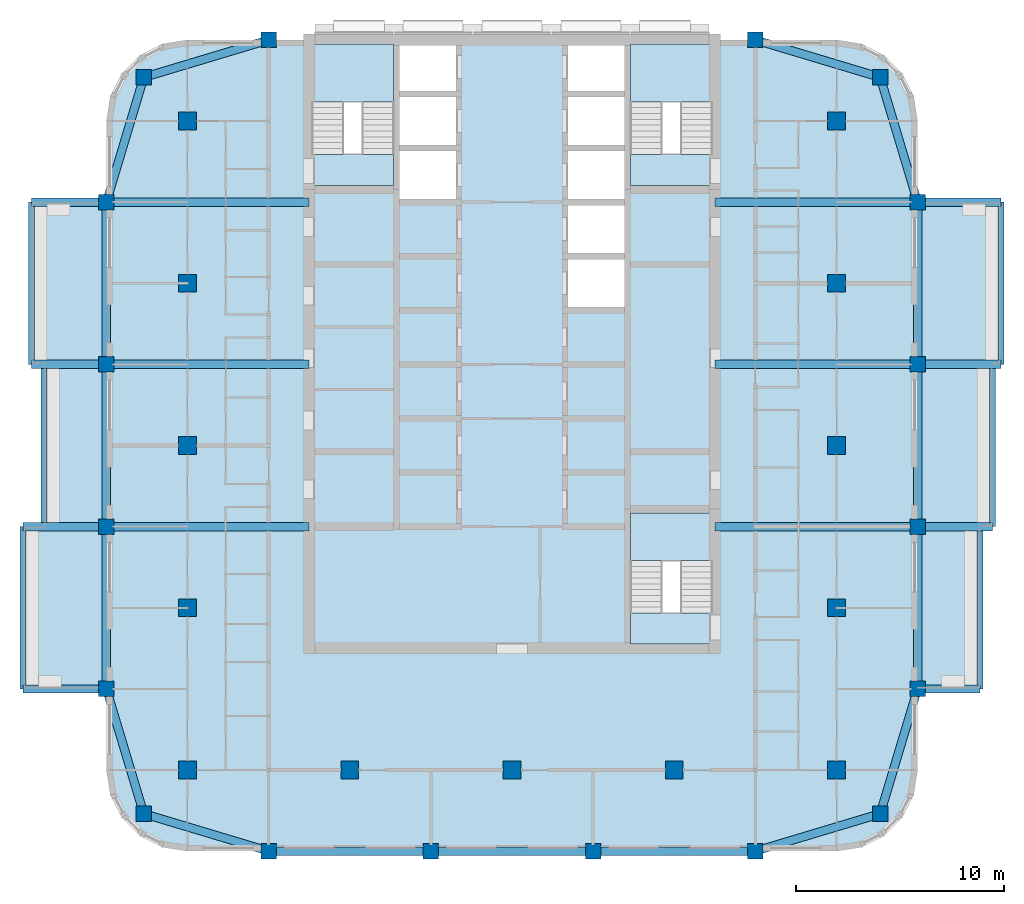
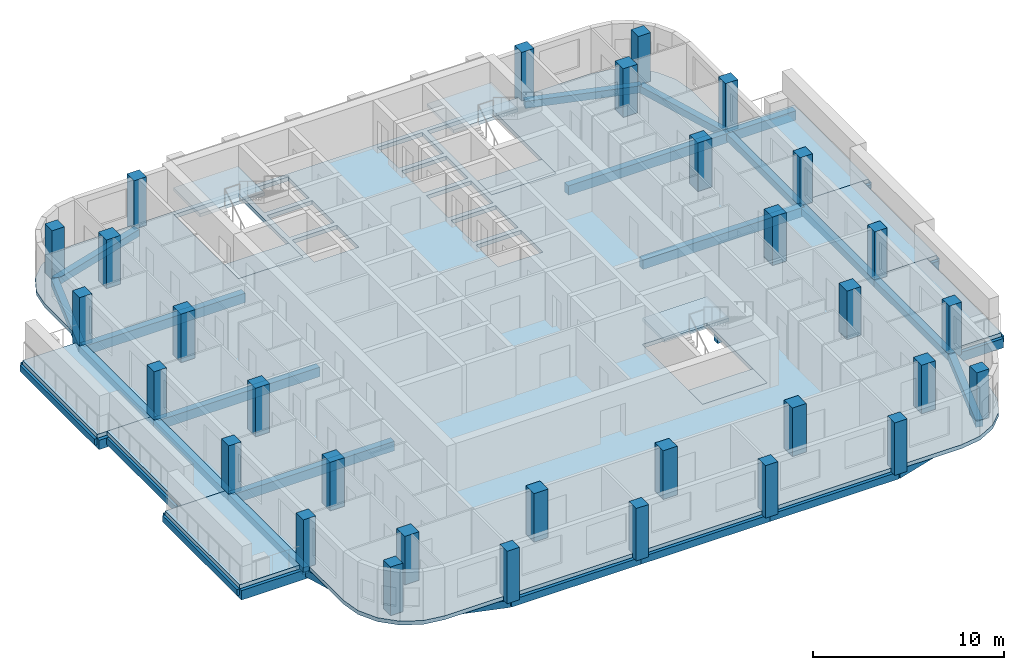
# One storey, part 1 of 13: 37 beams, 31 columns, 13 slabs, 3 elements without a shape of their own.
"""IFC4 building model written with IfcOpenShell, lengths in metres."""

from ifc_helpers import new_model, si_unit, direction, frame, origin, origin_2d, place, context, subcontext, project, spatial, polyline, rectangle, outline, extrude, material, layer, layer_set, material_profile, profile_set, type_object, element, aggregate, save


model = new_model("IFC4")

# Units and contexts
model_context = context("Model", 3, precision=1e-05, world=origin(), true_north=direction((0.0, 1.0)))
body_context = subcontext(model_context, "Body", "Model", "MODEL_VIEW")
ifc_project = project(units=[si_unit("LENGTHUNIT", "METRE"), si_unit("AREAUNIT", "SQUARE_METRE"), si_unit("VOLUMEUNIT", "CUBIC_METRE"), si_unit("PLANEANGLEUNIT", "RADIAN"), si_unit("MASSUNIT", "GRAM", prefix="KILO")], contexts=[model_context])

# Site, building, storey
site_placement = place(None, origin())
site = spatial("IfcSite", under=ifc_project, at=site_placement, CompositionType="ELEMENT")
building_placement = place(site_placement, origin())
building = spatial("IfcBuilding", under=site, at=building_placement, Name="Ludao Terraces", CompositionType="ELEMENT")
storey_placement = place(building_placement, frame((0.0, 0.0, 189.39990234375)))
storey = spatial("IfcBuildingStorey", under=building, at=storey_placement, Name="L51", CompositionType="ELEMENT", Elevation=189.39990234375)

# Columns
ifc_material_1 = material(Name="Concrete C45", Category="concrete")
ifc_material_profile_1 = material_profile(ifc_material_1, rectangle(XDim=0.75, YDim=0.75, at=origin_2d()), Name="750 X 750")
ifc_profile_set_1 = profile_set([ifc_material_profile_1], Name="Concrete C45")
column_type_1 = type_object("IfcColumnType", Name="RC column 750x750 C45", PredefinedType="COLUMN", material=ifc_profile_set_1)
for number, where, z_axis, x_axis, name in (
    (1, (67.300048828125, 47.300048828125, -0.25), (0.0, 0.0, 1.0), (1.0, 0.0, 0.0), "Column L51 C0057x0057"),
    (2, (102.699951171875, 47.300048828125, -0.25), (0.0, 0.0, 1.0), (1.0, 0.0, 0.0), "Column L51 C0411x0057"),
    (3, (67.300048828125, 82.699951171875, -0.25), (0.0, 0.0, 1.0), (1.0, 0.0, 0.0), "Column L51 C0057x0411"),
    (4, (102.699951171875, 82.699951171875, -0.25), (0.0, 0.0, 1.0), (1.0, 0.0, 0.0), "Column L51 C0411x0411"),
    (5, (65.5, 53.300048828125, -0.25), (0.0, 0.0, 1.0), (1.0, 0.0, 0.0), "Column L51 W0039x0117"),
    (6, (104.5, 53.300048828125, -0.25), (0.0, 0.0, 1.0), (1.0, 0.0, 0.0), "Column L51 W0429x0117"),
    (7, (73.300048828125, 45.5, -0.25), (0.0, 0.0, 1.0), (1.0, 0.0, 0.0), "Column L51 W0117x0039"),
    (8, (73.300048828125, 84.5, -0.25), (0.0, 0.0, 1.0), (1.0, 0.0, 0.0), "Column L51 W0117x0429"),
    (9, (65.5, 61.10009765625, -0.25), (0.0, 0.0, 1.0), (1.0, 0.0, 0.0), "Column L51 W0039x0195"),
    (10, (104.5, 61.10009765625, -0.25), (0.0, 0.0, 1.0), (1.0, 0.0, 0.0), "Column L51 W0429x0195"),
    (11, (81.10009765625, 45.5, -0.25), (0.0, 0.0, 1.0), (1.0, 0.0, 0.0), "Column L51 W0195x0039"),
    (12, (65.5, 68.89990234375, -0.25), (0.0, 0.0, 1.0), (1.0, 0.0, 0.0), "Column L51 W0039x0273"),
    (13, (104.5, 68.89990234375, -0.25), (0.0, 0.0, 1.0), (1.0, 0.0, 0.0), "Column L51 W0429x0273"),
    (14, (88.89990234375, 45.5, -0.25), (0.0, 0.0, 1.0), (1.0, 0.0, 0.0), "Column L51 W0273x0039"),
    (15, (65.5, 76.699951171875, -0.25), (0.0, 0.0, 1.0), (1.0, 0.0, 0.0), "Column L51 W0039x0351"),
    (16, (104.5, 76.699951171875, -0.25), (0.0, 0.0, 1.0), (1.0, 0.0, 0.0), "Column L51 W0429x0351"),
    (17, (96.699951171875, 45.5, -0.25), (0.0, 0.0, 1.0), (1.0, 0.0, 0.0), "Column L51 W0351x0039"),
    (18, (96.699951171875, 84.5, -0.25), (0.0, 0.0, 1.0), (1.0, 0.0, 0.0), "Column L51 W0351x0429"),
):
    element("IfcColumn", number, at=place(storey_placement, frame(where, z_axis=z_axis, x_axis=x_axis)), inside=storey, type_object=column_type_1, Name=name, PredefinedType="COLUMN", context=body_context, shape_type="SweptSolid", body=[
        extrude(rectangle(XDim=0.75, YDim=0.75, at=origin_2d()), origin(), (0.0, 0.0, 1.0), 3.35009765625),
    ])
ifc_material_profile_2 = material_profile(ifc_material_1, rectangle(XDim=0.85009765625, YDim=0.85009765625, at=origin_2d()), Name="850 X 850")
ifc_profile_set_2 = profile_set([ifc_material_profile_2], Name="Concrete C45")
column_type_2 = type_object("IfcColumnType", Name="RC column 850x850 C45", PredefinedType="COLUMN", material=ifc_profile_set_2)
for number, where, z_axis, x_axis, name in (
    (19, (69.39990234375, 49.39990234375, -0.25), (0.0, 0.0, 1.0), (1.0, 0.0, 0.0), "Column L51 S0078x0078"),
    (20, (69.39990234375, 57.199951171875, -0.25), (0.0, 0.0, 1.0), (1.0, 0.0, 0.0), "Column L51 S0078x0156"),
    (21, (69.39990234375, 65.0, -0.25), (0.0, 0.0, 1.0), (1.0, 0.0, 0.0), "Column L51 S0078x0234"),
    (22, (69.39990234375, 72.800048828125, -0.25), (0.0, 0.0, 1.0), (1.0, 0.0, 0.0), "Column L51 S0078x0312"),
    (23, (69.39990234375, 80.60009765625, -0.25), (0.0, 0.0, 1.0), (1.0, 0.0, 0.0), "Column L51 S0078x0390"),
    (24, (77.199951171875, 49.39990234375, -0.25), (0.0, 0.0, 1.0), (1.0, 0.0, 0.0), "Column L51 S0156x0078"),
    (25, (85.0, 49.39990234375, -0.25), (0.0, 0.0, 1.0), (1.0, 0.0, 0.0), "Column L51 S0234x0078"),
    (26, (92.800048828125, 49.39990234375, -0.25), (0.0, 0.0, 1.0), (1.0, 0.0, 0.0), "Column L51 S0312x0078"),
    (27, (100.60009765625, 49.39990234375, -0.25), (0.0, 0.0, 1.0), (1.0, 0.0, 0.0), "Column L51 S0390x0078"),
    (28, (100.60009765625, 57.199951171875, -0.25), (0.0, 0.0, 1.0), (1.0, 0.0, 0.0), "Column L51 S0390x0156"),
    (29, (100.60009765625, 65.0, -0.25), (0.0, 0.0, 1.0), (1.0, 0.0, 0.0), "Column L51 S0390x0234"),
    (30, (100.60009765625, 72.800048828125, -0.25), (0.0, 0.0, 1.0), (1.0, 0.0, 0.0), "Column L51 S0390x0312"),
    (31, (100.60009765625, 80.60009765625, -0.25), (0.0, 0.0, 1.0), (1.0, 0.0, 0.0), "Column L51 S0390x0390"),
):
    element("IfcColumn", number, at=place(storey_placement, frame(where, z_axis=z_axis, x_axis=x_axis)), inside=storey, type_object=column_type_2, Name=name, PredefinedType="COLUMN", context=body_context, shape_type="SweptSolid", body=[
        extrude(rectangle(XDim=0.85009765625, YDim=0.85009765625, at=origin_2d()), origin(), (0.0, 0.0, 1.0), 3.35009765625),
    ])

# Beams
ifc_material_2 = material(Name="Concrete C40", Category="concrete")
ifc_material_profile_3 = material_profile(ifc_material_2, rectangle(XDim=0.300048828125, YDim=0.39990234375, at=origin_2d()), Name="300 X 400")
ifc_profile_set_3 = profile_set([ifc_material_profile_3], Name="Concrete C40")
beam_type_1 = type_object("IfcBeamType", Name="RC beam 300x400 C40", PredefinedType="BEAM", material=ifc_profile_set_3)
beam_1_placement = place(storey_placement, frame((107.5, 53.300048828125, -0.449951171875), z_axis=(0.0, 1.0, 0.0), x_axis=(-1.0, 0.0, 0.0)))
element("IfcBeam", 32, at=beam_1_placement, inside=storey, type_object=beam_type_1, Name="Balcony edge beam L51 E1", PredefinedType="BEAM", context=body_context, shape_type="SweptSolid", body=[
    extrude(rectangle(XDim=0.300048828125, YDim=0.39990234375, at=origin_2d()), origin(), (0.0, 0.0, 1.0), 7.800048828125),
])
beam_2_placement = place(storey_placement, frame((108.10009765625, 61.10009765625, -0.449951171875), z_axis=(0.0, 1.0, 0.0), x_axis=(-1.0, 0.0, 0.0)))
element("IfcBeam", 33, at=beam_2_placement, inside=storey, type_object=beam_type_1, Name="Balcony edge beam L51 E2", PredefinedType="BEAM", context=body_context, shape_type="SweptSolid", body=[
    extrude(rectangle(XDim=0.300048828125, YDim=0.39990234375, at=origin_2d()), origin(), (0.0, 0.0, 1.0), 7.7998046875),
])
for number, where, z_axis, x_axis, name in (
    (34, (108.5, 68.89990234375, -0.449951171875), (0.0, 1.0, 0.0), (-1.0, 0.0, 0.0), "Balcony edge beam L51 E3"),
    (35, (61.5, 53.300048828125, -0.449951171875), (0.0, 1.0, 0.0), (-1.0, 0.0, 0.0), "Balcony edge beam L51 W1"),
):
    element("IfcBeam", number, at=place(storey_placement, frame(where, z_axis=z_axis, x_axis=x_axis)), inside=storey, type_object=beam_type_1, Name=name, PredefinedType="BEAM", context=body_context, shape_type="SweptSolid", body=[
        extrude(rectangle(XDim=0.300048828125, YDim=0.39990234375, at=origin_2d()), origin(), (0.0, 0.0, 1.0), 7.800048828125),
    ])
beam_3_placement = place(storey_placement, frame((62.5, 61.10009765625, -0.449951171875), z_axis=(0.0, 1.0, 0.0), x_axis=(-1.0, 0.0, 0.0)))
element("IfcBeam", 36, at=beam_3_placement, inside=storey, type_object=beam_type_1, Name="Balcony edge beam L51 W2", PredefinedType="BEAM", context=body_context, shape_type="SweptSolid", body=[
    extrude(rectangle(XDim=0.300048828125, YDim=0.39990234375, at=origin_2d()), origin(), (0.0, 0.0, 1.0), 7.7998046875),
])
beam_4_placement = place(storey_placement, frame((61.89990234375, 68.89990234375, -0.449951171875), z_axis=(0.0, 1.0, 0.0), x_axis=(-1.0, 0.0, 0.0)))
element("IfcBeam", 37, at=beam_4_placement, inside=storey, type_object=beam_type_1, Name="Balcony edge beam L51 W3", PredefinedType="BEAM", context=body_context, shape_type="SweptSolid", body=[
    extrude(rectangle(XDim=0.300048828125, YDim=0.39990234375, at=origin_2d()), origin(), (0.0, 0.0, 1.0), 7.800048828125),
])
ifc_material_profile_4 = material_profile(ifc_material_2, rectangle(XDim=0.39990234375, YDim=0.449951171875, at=origin_2d()), Name="400 X 450")
ifc_profile_set_4 = profile_set([ifc_material_profile_4], Name="Concrete C40")
beam_type_2 = type_object("IfcBeamType", Name="RC beam 400x450 C40", PredefinedType="BEAM", material=ifc_profile_set_4)
beam_5_placement = place(storey_placement, frame((67.300048828125, 47.300048828125, -0.474853515625), z_axis=(0.957824139839, -0.287355036744, 0.0), x_axis=(0.287355036744, 0.957824139839, 0.0)))
element("IfcBeam", 38, at=beam_5_placement, inside=storey, type_object=beam_type_2, Name="Spandrel beam L51 S1", PredefinedType="BEAM", context=body_context, shape_type="SweptSolid", body=[
    extrude(rectangle(XDim=0.39990234375, YDim=0.449951171875, at=origin_2d()), origin(), (0.0, 0.0, 1.0), 6.26416015625),
])
beam_6_placement = place(storey_placement, frame((73.300048828125, 45.5, -0.474853515625), z_axis=(1.0, 0.0, 0.0), x_axis=(0.0, 1.0, 0.0)))
element("IfcBeam", 39, at=beam_6_placement, inside=storey, type_object=beam_type_2, Name="Spandrel beam L51 S2", PredefinedType="BEAM", context=body_context, shape_type="SweptSolid", body=[
    extrude(rectangle(XDim=0.39990234375, YDim=0.449951171875, at=origin_2d()), origin(), (0.0, 0.0, 1.0), 7.800048828125),
])
beam_7_placement = place(storey_placement, frame((81.10009765625, 45.5, -0.474853515625), z_axis=(1.0, 0.0, 0.0), x_axis=(0.0, 1.0, 0.0)))
element("IfcBeam", 40, at=beam_7_placement, inside=storey, type_object=beam_type_2, Name="Spandrel beam L51 S3", PredefinedType="BEAM", context=body_context, shape_type="SweptSolid", body=[
    extrude(rectangle(XDim=0.39990234375, YDim=0.449951171875, at=origin_2d()), origin(), (0.0, 0.0, 1.0), 7.7998046875),
])
beam_8_placement = place(storey_placement, frame((88.89990234375, 45.5, -0.474853515625), z_axis=(1.0, 0.0, 0.0), x_axis=(0.0, 1.0, 0.0)))
element("IfcBeam", 41, at=beam_8_placement, inside=storey, type_object=beam_type_2, Name="Spandrel beam L51 S4", PredefinedType="BEAM", context=body_context, shape_type="SweptSolid", body=[
    extrude(rectangle(XDim=0.39990234375, YDim=0.449951171875, at=origin_2d()), origin(), (0.0, 0.0, 1.0), 7.800048828125),
])
for number, where, z_axis, x_axis, name in (
    (42, (96.699951171875, 45.5, -0.474853515625), (0.957824139839, 0.287355036744, 0.0), (-0.287355036744, 0.957824139839, 0.0), "Spandrel beam L51 S5"),
    (43, (67.300048828125, 82.699951171875, -0.474853515625), (0.957824139839, 0.287355036744, 0.0), (-0.287355036744, 0.957824139839, 0.0), "Spandrel beam L51 N6"),
    (44, (96.699951171875, 84.5, -0.474853515625), (0.957824139839, -0.287355036744, 0.0), (0.287355036744, 0.957824139839, 0.0), "Spandrel beam L51 N7"),
    (45, (67.300048828125, 47.300048828125, -0.474853515625), (-0.287355036744, 0.957824139839, 0.0), (-0.957824139839, -0.287355036744, 0.0), "Spandrel beam L51 W8"),
):
    element("IfcBeam", number, at=place(storey_placement, frame(where, z_axis=z_axis, x_axis=x_axis)), inside=storey, type_object=beam_type_2, Name=name, PredefinedType="BEAM", context=body_context, shape_type="SweptSolid", body=[
        extrude(rectangle(XDim=0.39990234375, YDim=0.449951171875, at=origin_2d()), origin(), (0.0, 0.0, 1.0), 6.26416015625),
    ])
beam_9_placement = place(storey_placement, frame((65.5, 53.300048828125, -0.474853515625), z_axis=(0.0, 1.0, 0.0), x_axis=(-1.0, 0.0, 0.0)))
element("IfcBeam", 46, at=beam_9_placement, inside=storey, type_object=beam_type_2, Name="Spandrel beam L51 W9", PredefinedType="BEAM", context=body_context, shape_type="SweptSolid", body=[
    extrude(rectangle(XDim=0.39990234375, YDim=0.449951171875, at=origin_2d()), origin(), (0.0, 0.0, 1.0), 7.800048828125),
])
beam_10_placement = place(storey_placement, frame((65.5, 61.10009765625, -0.474853515625), z_axis=(0.0, 1.0, 0.0), x_axis=(-1.0, 0.0, 0.0)))
element("IfcBeam", 47, at=beam_10_placement, inside=storey, type_object=beam_type_2, Name="Spandrel beam L51 W10", PredefinedType="BEAM", context=body_context, shape_type="SweptSolid", body=[
    extrude(rectangle(XDim=0.39990234375, YDim=0.449951171875, at=origin_2d()), origin(), (0.0, 0.0, 1.0), 7.7998046875),
])
beam_11_placement = place(storey_placement, frame((65.5, 68.89990234375, -0.474853515625), z_axis=(0.0, 1.0, 0.0), x_axis=(-1.0, 0.0, 0.0)))
element("IfcBeam", 48, at=beam_11_placement, inside=storey, type_object=beam_type_2, Name="Spandrel beam L51 W11", PredefinedType="BEAM", context=body_context, shape_type="SweptSolid", body=[
    extrude(rectangle(XDim=0.39990234375, YDim=0.449951171875, at=origin_2d()), origin(), (0.0, 0.0, 1.0), 7.800048828125),
])
for number, where, z_axis, x_axis, name in (
    (49, (65.5, 76.699951171875, -0.474853515625), (0.287355036744, 0.957824139839, 0.0), (-0.957824139839, 0.287355036744, 0.0), "Spandrel beam L51 W12"),
    (50, (102.699951171875, 47.300048828125, -0.474853515625), (0.287355036744, 0.957824139839, 0.0), (-0.957824139839, 0.287355036744, 0.0), "Spandrel beam L51 E13"),
):
    element("IfcBeam", number, at=place(storey_placement, frame(where, z_axis=z_axis, x_axis=x_axis)), inside=storey, type_object=beam_type_2, Name=name, PredefinedType="BEAM", context=body_context, shape_type="SweptSolid", body=[
        extrude(rectangle(XDim=0.39990234375, YDim=0.449951171875, at=origin_2d()), origin(), (0.0, 0.0, 1.0), 6.26416015625),
    ])
beam_12_placement = place(storey_placement, frame((104.5, 53.300048828125, -0.474853515625), z_axis=(0.0, 1.0, 0.0), x_axis=(-1.0, 0.0, 0.0)))
element("IfcBeam", 51, at=beam_12_placement, inside=storey, type_object=beam_type_2, Name="Spandrel beam L51 E14", PredefinedType="BEAM", context=body_context, shape_type="SweptSolid", body=[
    extrude(rectangle(XDim=0.39990234375, YDim=0.449951171875, at=origin_2d()), origin(), (0.0, 0.0, 1.0), 7.800048828125),
])
beam_13_placement = place(storey_placement, frame((104.5, 61.10009765625, -0.474853515625), z_axis=(0.0, 1.0, 0.0), x_axis=(-1.0, 0.0, 0.0)))
element("IfcBeam", 52, at=beam_13_placement, inside=storey, type_object=beam_type_2, Name="Spandrel beam L51 E15", PredefinedType="BEAM", context=body_context, shape_type="SweptSolid", body=[
    extrude(rectangle(XDim=0.39990234375, YDim=0.449951171875, at=origin_2d()), origin(), (0.0, 0.0, 1.0), 7.7998046875),
])
beam_14_placement = place(storey_placement, frame((104.5, 68.89990234375, -0.474853515625), z_axis=(0.0, 1.0, 0.0), x_axis=(-1.0, 0.0, 0.0)))
element("IfcBeam", 53, at=beam_14_placement, inside=storey, type_object=beam_type_2, Name="Spandrel beam L51 E16", PredefinedType="BEAM", context=body_context, shape_type="SweptSolid", body=[
    extrude(rectangle(XDim=0.39990234375, YDim=0.449951171875, at=origin_2d()), origin(), (0.0, 0.0, 1.0), 7.800048828125),
])
beam_15_placement = place(storey_placement, frame((104.5, 76.699951171875, -0.474853515625), z_axis=(-0.287355036744, 0.957824139839, 0.0), x_axis=(-0.957824139839, -0.287355036744, 0.0)))
element("IfcBeam", 54, at=beam_15_placement, inside=storey, type_object=beam_type_2, Name="Spandrel beam L51 E17", PredefinedType="BEAM", context=body_context, shape_type="SweptSolid", body=[
    extrude(rectangle(XDim=0.39990234375, YDim=0.449951171875, at=origin_2d()), origin(), (0.0, 0.0, 1.0), 6.26416015625),
])
ifc_material_profile_5 = material_profile(ifc_material_2, rectangle(XDim=0.39990234375, YDim=0.60009765625, at=origin_2d()), Name="400 X 600")
ifc_profile_set_5 = profile_set([ifc_material_profile_5], Name="Concrete C40")
beam_type_3 = type_object("IfcBeamType", Name="RC beam 400x600 C40", PredefinedType="BEAM", material=ifc_profile_set_5)
beam_16_placement = place(storey_placement, frame((104.5, 53.300048828125, -0.5498046875), z_axis=(1.0, 0.0, 0.0), x_axis=(0.0, 1.0, 0.0)))
element("IfcBeam", 55, at=beam_16_placement, inside=storey, type_object=beam_type_3, Name="Balcony beam L51 E533", PredefinedType="BEAM", context=body_context, shape_type="SweptSolid", body=[
    extrude(rectangle(XDim=0.39990234375, YDim=0.60009765625, at=origin_2d()), origin(), (0.0, 0.0, 1.0), 3.0),
])
beam_17_placement = place(storey_placement, frame((94.75, 61.10009765625, -0.5498046875), z_axis=(1.0, 0.0, 0.0), x_axis=(0.0, 1.0, 0.0)))
element("IfcBeam", 56, at=beam_17_placement, inside=storey, type_object=beam_type_3, Name="Balcony beam L51 E611", PredefinedType="BEAM", context=body_context, shape_type="SweptSolid", body=[
    extrude(rectangle(XDim=0.39990234375, YDim=0.60009765625, at=origin_2d()), origin(), (0.0, 0.0, 1.0), 9.75),
])
beam_18_placement = place(storey_placement, frame((104.5, 61.10009765625, -0.5498046875), z_axis=(1.0, 0.0, 0.0), x_axis=(0.0, 1.0, 0.0)))
element("IfcBeam", 57, at=beam_18_placement, inside=storey, type_object=beam_type_3, Name="Balcony beam L51 E611", PredefinedType="BEAM", context=body_context, shape_type="SweptSolid", body=[
    extrude(rectangle(XDim=0.39990234375, YDim=0.60009765625, at=origin_2d()), origin(), (0.0, 0.0, 1.0), 3.60009765625),
])
beam_19_placement = place(storey_placement, frame((94.75, 68.89990234375, -0.5498046875), z_axis=(1.0, 0.0, 0.0), x_axis=(0.0, 1.0, 0.0)))
element("IfcBeam", 58, at=beam_19_placement, inside=storey, type_object=beam_type_3, Name="Balcony beam L51 E689", PredefinedType="BEAM", context=body_context, shape_type="SweptSolid", body=[
    extrude(rectangle(XDim=0.39990234375, YDim=0.60009765625, at=origin_2d()), origin(), (0.0, 0.0, 1.0), 9.75),
])
beam_20_placement = place(storey_placement, frame((104.5, 68.89990234375, -0.5498046875), z_axis=(1.0, 0.0, 0.0), x_axis=(0.0, 1.0, 0.0)))
element("IfcBeam", 59, at=beam_20_placement, inside=storey, type_object=beam_type_3, Name="Balcony beam L51 E689", PredefinedType="BEAM", context=body_context, shape_type="SweptSolid", body=[
    extrude(rectangle(XDim=0.39990234375, YDim=0.60009765625, at=origin_2d()), origin(), (0.0, 0.0, 1.0), 4.0),
])
beam_21_placement = place(storey_placement, frame((94.75, 76.699951171875, -0.5498046875), z_axis=(1.0, 0.0, 0.0), x_axis=(0.0, 1.0, 0.0)))
element("IfcBeam", 60, at=beam_21_placement, inside=storey, type_object=beam_type_3, Name="Balcony beam L51 E767", PredefinedType="BEAM", context=body_context, shape_type="SweptSolid", body=[
    extrude(rectangle(XDim=0.39990234375, YDim=0.60009765625, at=origin_2d()), origin(), (0.0, 0.0, 1.0), 9.75),
])
for number, where, z_axis, x_axis, name in (
    (61, (104.5, 76.699951171875, -0.5498046875), (1.0, 0.0, 0.0), (0.0, 1.0, 0.0), "Balcony beam L51 E767"),
    (62, (65.5, 53.300048828125, -0.5498046875), (-1.0, 0.0, 0.0), (0.0, -1.0, 0.0), "Balcony beam L51 W533"),
):
    element("IfcBeam", number, at=place(storey_placement, frame(where, z_axis=z_axis, x_axis=x_axis)), inside=storey, type_object=beam_type_3, Name=name, PredefinedType="BEAM", context=body_context, shape_type="SweptSolid", body=[
        extrude(rectangle(XDim=0.39990234375, YDim=0.60009765625, at=origin_2d()), origin(), (0.0, 0.0, 1.0), 4.0),
    ])
beam_22_placement = place(storey_placement, frame((75.25, 61.10009765625, -0.5498046875), z_axis=(-1.0, 0.0, 0.0), x_axis=(0.0, -1.0, 0.0)))
element("IfcBeam", 63, at=beam_22_placement, inside=storey, type_object=beam_type_3, Name="Balcony beam L51 W611", PredefinedType="BEAM", context=body_context, shape_type="SweptSolid", body=[
    extrude(rectangle(XDim=0.39990234375, YDim=0.60009765625, at=origin_2d()), origin(), (0.0, 0.0, 1.0), 9.75),
])
beam_23_placement = place(storey_placement, frame((65.5, 61.10009765625, -0.5498046875), z_axis=(-1.0, 0.0, 0.0), x_axis=(0.0, -1.0, 0.0)))
element("IfcBeam", 64, at=beam_23_placement, inside=storey, type_object=beam_type_3, Name="Balcony beam L51 W611", PredefinedType="BEAM", context=body_context, shape_type="SweptSolid", body=[
    extrude(rectangle(XDim=0.39990234375, YDim=0.60009765625, at=origin_2d()), origin(), (0.0, 0.0, 1.0), 4.0),
])
beam_24_placement = place(storey_placement, frame((75.25, 68.89990234375, -0.5498046875), z_axis=(-1.0, 0.0, 0.0), x_axis=(0.0, -1.0, 0.0)))
element("IfcBeam", 65, at=beam_24_placement, inside=storey, type_object=beam_type_3, Name="Balcony beam L51 W689", PredefinedType="BEAM", context=body_context, shape_type="SweptSolid", body=[
    extrude(rectangle(XDim=0.39990234375, YDim=0.60009765625, at=origin_2d()), origin(), (0.0, 0.0, 1.0), 9.75),
])
beam_25_placement = place(storey_placement, frame((65.5, 68.89990234375, -0.5498046875), z_axis=(-1.0, 0.0, 0.0), x_axis=(0.0, -1.0, 0.0)))
element("IfcBeam", 66, at=beam_25_placement, inside=storey, type_object=beam_type_3, Name="Balcony beam L51 W689", PredefinedType="BEAM", context=body_context, shape_type="SweptSolid", body=[
    extrude(rectangle(XDim=0.39990234375, YDim=0.60009765625, at=origin_2d()), origin(), (0.0, 0.0, 1.0), 3.60009765625),
])
beam_26_placement = place(storey_placement, frame((75.25, 76.699951171875, -0.5498046875), z_axis=(-1.0, 0.0, 0.0), x_axis=(0.0, -1.0, 0.0)))
element("IfcBeam", 67, at=beam_26_placement, inside=storey, type_object=beam_type_3, Name="Balcony beam L51 W767", PredefinedType="BEAM", context=body_context, shape_type="SweptSolid", body=[
    extrude(rectangle(XDim=0.39990234375, YDim=0.60009765625, at=origin_2d()), origin(), (0.0, 0.0, 1.0), 9.75),
])
beam_27_placement = place(storey_placement, frame((65.5, 76.699951171875, -0.5498046875), z_axis=(-1.0, 0.0, 0.0), x_axis=(0.0, -1.0, 0.0)))
element("IfcBeam", 68, at=beam_27_placement, inside=storey, type_object=beam_type_3, Name="Balcony beam L51 W767", PredefinedType="BEAM", context=body_context, shape_type="SweptSolid", body=[
    extrude(rectangle(XDim=0.39990234375, YDim=0.60009765625, at=origin_2d()), origin(), (0.0, 0.0, 1.0), 3.60009765625),
])

# Slabs
ifc_layer_1 = layer(ifc_material_2, 0.25)
ifc_layer_set_1 = layer_set([ifc_layer_1], Name="Balcony slab 250 C40")
slab_type_1 = type_object("IfcSlabType", Name="Balcony slab 250 C40", PredefinedType="USERDEFINED", material=ifc_layer_set_1)
slab_1_placement = place(storey_placement, frame((0.0, 0.0, -0.25)))
element("IfcSlab", 69, at=slab_1_placement, inside=storey, type_object=slab_type_1, Name="Balcony L51 E1", ObjectType="BALCONY", PredefinedType="USERDEFINED", context=body_context, shape_type="SweptSolid", body=[
    extrude(outline(polyline([(104.5, 53.300048828125), (107.5, 53.300048828125), (107.5, 61.10009765625), (104.5, 61.10009765625), (104.5, 53.300048828125)])), origin(), (0.0, 0.0, 1.0), 0.25),
])
slab_2_placement = place(storey_placement, frame((0.0, 0.0, -0.25)))
element("IfcSlab", 70, at=slab_2_placement, inside=storey, type_object=slab_type_1, Name="Balcony L51 E2", ObjectType="BALCONY", PredefinedType="USERDEFINED", context=body_context, shape_type="SweptSolid", body=[
    extrude(outline(polyline([(104.5, 61.10009765625), (108.10009765625, 61.10009765625), (108.10009765625, 68.89990234375), (104.5, 68.89990234375), (104.5, 61.10009765625)])), origin(), (0.0, 0.0, 1.0), 0.25),
])
slab_3_placement = place(storey_placement, frame((0.0, 0.0, -0.25)))
element("IfcSlab", 71, at=slab_3_placement, inside=storey, type_object=slab_type_1, Name="Balcony L51 E3", ObjectType="BALCONY", PredefinedType="USERDEFINED", context=body_context, shape_type="SweptSolid", body=[
    extrude(outline(polyline([(104.5, 68.89990234375), (108.5, 68.89990234375), (108.5, 76.699951171875), (104.5, 76.699951171875), (104.5, 68.89990234375)])), origin(), (0.0, 0.0, 1.0), 0.25),
])
slab_4_placement = place(storey_placement, frame((0.0, 0.0, -0.25)))
element("IfcSlab", 72, at=slab_4_placement, inside=storey, type_object=slab_type_1, Name="Balcony L51 W1", ObjectType="BALCONY", PredefinedType="USERDEFINED", context=body_context, shape_type="SweptSolid", body=[
    extrude(outline(polyline([(61.5, 53.300048828125), (65.5, 53.300048828125), (65.5, 61.10009765625), (61.5, 61.10009765625), (61.5, 53.300048828125)])), origin(), (0.0, 0.0, 1.0), 0.25),
])
slab_5_placement = place(storey_placement, frame((0.0, 0.0, -0.25)))
element("IfcSlab", 73, at=slab_5_placement, inside=storey, type_object=slab_type_1, Name="Balcony L51 W2", ObjectType="BALCONY", PredefinedType="USERDEFINED", context=body_context, shape_type="SweptSolid", body=[
    extrude(outline(polyline([(62.5, 61.10009765625), (65.5, 61.10009765625), (65.5, 68.89990234375), (62.5, 68.89990234375), (62.5, 61.10009765625)])), origin(), (0.0, 0.0, 1.0), 0.25),
])
slab_6_placement = place(storey_placement, frame((0.0, 0.0, -0.25)))
element("IfcSlab", 74, at=slab_6_placement, inside=storey, type_object=slab_type_1, Name="Balcony L51 W3", ObjectType="BALCONY", PredefinedType="USERDEFINED", context=body_context, shape_type="SweptSolid", body=[
    extrude(outline(polyline([(61.89990234375, 68.89990234375), (65.5, 68.89990234375), (65.5, 76.699951171875), (61.89990234375, 76.699951171875), (61.89990234375, 68.89990234375)])), origin(), (0.0, 0.0, 1.0), 0.25),
])
ifc_layer_2 = layer(ifc_material_2, 0.25)
ifc_layer_set_2 = layer_set([ifc_layer_2], Name="Floor slab 250 C40")
slab_type_2 = type_object("IfcSlabType", Name="Floor slab 250 C40", PredefinedType="FLOOR", material=ifc_layer_set_2)
slab_7_placement = place(storey_placement, frame((0.0, 0.0, -0.25)))
element("IfcSlab", 75, at=slab_7_placement, inside=storey, type_object=slab_type_2, Name="Slab L51", PredefinedType="FLOOR", context=body_context, shape_type="SweptSolid", body=[
    extrude(outline(polyline([(100.60009765625, 45.5), (101.80517578125, 45.69091796875), (102.892333984375, 46.244873046875), (103.755126953125, 47.107666015625), (104.30908203125, 48.19482421875), (104.5, 49.39990234375), (104.5, 80.60009765625), (104.30908203125, 81.80517578125), (103.755126953125, 82.892333984375), (102.892333984375, 83.755126953125), (101.80517578125, 84.30908203125), (100.60009765625, 84.5), (69.39990234375, 84.5), (68.19482421875, 84.30908203125), (67.107666015625, 83.755126953125), (66.244873046875, 82.892333984375), (65.69091796875, 81.80517578125), (65.5, 80.60009765625), (65.5, 49.39990234375), (65.69091796875, 48.19482421875), (66.244873046875, 47.107666015625), (67.107666015625, 46.244873046875), (68.19482421875, 45.69091796875), (69.39990234375, 45.5), (100.60009765625, 45.5)]), holes=[polyline([(79.60009765625, 76.85009765625), (82.300048828125, 76.85009765625), (82.300048828125, 79.14990234375), (79.60009765625, 79.14990234375), (79.60009765625, 76.85009765625)]), polyline([(79.60009765625, 79.449951171875), (82.300048828125, 79.449951171875), (82.300048828125, 81.75), (79.60009765625, 81.75), (79.60009765625, 79.449951171875)]), polyline([(79.60009765625, 82.050048828125), (82.300048828125, 82.050048828125), (82.300048828125, 84.239990234375), (79.60009765625, 84.239990234375), (79.60009765625, 82.050048828125)]), polyline([(87.699951171875, 71.64990234375), (90.39990234375, 71.64990234375), (90.39990234375, 73.949951171875), (87.699951171875, 73.949951171875), (87.699951171875, 71.64990234375)]), polyline([(87.699951171875, 74.25), (90.39990234375, 74.25), (90.39990234375, 76.550048828125), (87.699951171875, 76.550048828125), (87.699951171875, 74.25)]), polyline([(87.699951171875, 76.85009765625), (90.39990234375, 76.85009765625), (90.39990234375, 79.14990234375), (87.699951171875, 79.14990234375), (87.699951171875, 76.85009765625)]), polyline([(87.699951171875, 79.449951171875), (90.39990234375, 79.449951171875), (90.39990234375, 81.75), (87.699951171875, 81.75), (87.699951171875, 79.449951171875)]), polyline([(87.699951171875, 82.050048828125), (90.39990234375, 82.050048828125), (90.39990234375, 84.239990234375), (87.699951171875, 84.239990234375), (87.699951171875, 82.050048828125)]), polyline([(75.39990234375, 77.5), (79.300048828125, 77.5), (79.300048828125, 84.239990234375), (75.39990234375, 84.239990234375), (75.39990234375, 77.5)]), polyline([(90.699951171875, 77.5), (94.60009765625, 77.5), (94.60009765625, 84.239990234375), (90.699951171875, 84.239990234375), (90.699951171875, 77.5)]), polyline([(90.699951171875, 55.449951171875), (94.60009765625, 55.449951171875), (94.60009765625, 61.75), (90.699951171875, 61.75), (90.699951171875, 55.449951171875)])]), origin(), (0.0, 0.0, 1.0), 0.25),
])

# Stair, slabs
stair_type = type_object("IfcStairType", Name="INT Stair", PredefinedType="HALF_TURN_STAIR", material=ifc_material_2)
stair_1_placement = place(storey_placement, origin())
stair_1 = element("IfcStair", 76, at=stair_1_placement, inside=storey, type_object=stair_type, Name="EXIT STAIR 1", PredefinedType="HALF_TURN_STAIR")
ifc_layer_3 = layer(ifc_material_2, 0.199951171875)
ifc_layer_set_3 = layer_set([ifc_layer_3], Name="INT Stair landing 200")
slab_type_3 = type_object("IfcSlabType", Name="INT Stair landing 200", PredefinedType="LANDING", material=ifc_layer_set_3)
slab_8_placement = place(storey_placement, frame((0.0, 0.0, 1.5)))
slab_8 = element("IfcSlab", 77, at=slab_8_placement, type_object=slab_type_3, Name="ST1 landing 1", PredefinedType="LANDING", context=body_context, shape_type="SweptSolid", body=[
    extrude(outline(polyline([(75.39990234375, 81.52001953125), (79.300048828125, 81.52001953125), (79.300048828125, 84.300048828125), (75.39990234375, 84.300048828125), (75.39990234375, 81.52001953125)])), origin(), (0.0, 0.0, 1.0), 0.2001953125),
])
slab_9_placement = place(storey_placement, frame((0.0, 0.0, -0.199951171875)))
slab_9 = element("IfcSlab", 78, at=slab_9_placement, type_object=slab_type_3, Name="ST1 landing 2", PredefinedType="LANDING", context=body_context, shape_type="SweptSolid", body=[
    extrude(outline(polyline([(75.39990234375, 77.5), (79.300048828125, 77.5), (79.300048828125, 79.0), (75.39990234375, 79.0), (75.39990234375, 77.5)])), origin(), (0.0, 0.0, 1.0), 0.199951171875),
])
aggregate(stair_1, [slab_8, slab_9])

stair_2_placement = place(storey_placement, origin())
stair_2 = element("IfcStair", 79, at=stair_2_placement, inside=storey, type_object=stair_type, Name="EXIT STAIR 2", PredefinedType="HALF_TURN_STAIR")
slab_10_placement = place(storey_placement, frame((0.0, 0.0, 1.5)))
slab_10 = element("IfcSlab", 80, at=slab_10_placement, type_object=slab_type_3, Name="ST2 landing 1", PredefinedType="LANDING", context=body_context, shape_type="SweptSolid", body=[
    extrude(outline(polyline([(90.699951171875, 81.52001953125), (94.60009765625, 81.52001953125), (94.60009765625, 84.300048828125), (90.699951171875, 84.300048828125), (90.699951171875, 81.52001953125)])), origin(), (0.0, 0.0, 1.0), 0.2001953125),
])
slab_11_placement = place(storey_placement, frame((0.0, 0.0, -0.199951171875)))
slab_11 = element("IfcSlab", 81, at=slab_11_placement, type_object=slab_type_3, Name="ST2 landing 2", PredefinedType="LANDING", context=body_context, shape_type="SweptSolid", body=[
    extrude(outline(polyline([(90.699951171875, 77.5), (94.60009765625, 77.5), (94.60009765625, 79.0), (90.699951171875, 79.0), (90.699951171875, 77.5)])), origin(), (0.0, 0.0, 1.0), 0.199951171875),
])
aggregate(stair_2, [slab_10, slab_11])

stair_3_placement = place(storey_placement, origin())
stair_3 = element("IfcStair", 82, at=stair_3_placement, inside=storey, type_object=stair_type, Name="EXIT STAIR 3", PredefinedType="HALF_TURN_STAIR")
slab_12_placement = place(storey_placement, frame((0.0, 0.0, 1.5)))
slab_12 = element("IfcSlab", 83, at=slab_12_placement, type_object=slab_type_3, Name="ST3 landing 1", PredefinedType="LANDING", context=body_context, shape_type="SweptSolid", body=[
    extrude(outline(polyline([(90.699951171875, 59.469970703125), (94.60009765625, 59.469970703125), (94.60009765625, 61.75), (90.699951171875, 61.75), (90.699951171875, 59.469970703125)])), origin(), (0.0, 0.0, 1.0), 0.2001953125),
])
slab_13_placement = place(storey_placement, frame((0.0, 0.0, -0.199951171875)))
slab_13 = element("IfcSlab", 84, at=slab_13_placement, type_object=slab_type_3, Name="ST3 landing 2", PredefinedType="LANDING", context=body_context, shape_type="SweptSolid", body=[
    extrude(outline(polyline([(90.699951171875, 55.449951171875), (94.60009765625, 55.449951171875), (94.60009765625, 56.949951171875), (90.699951171875, 56.949951171875), (90.699951171875, 55.449951171875)])), origin(), (0.0, 0.0, 1.0), 0.199951171875),
])
aggregate(stair_3, [slab_12, slab_13])

save(model, "model.ifc")
